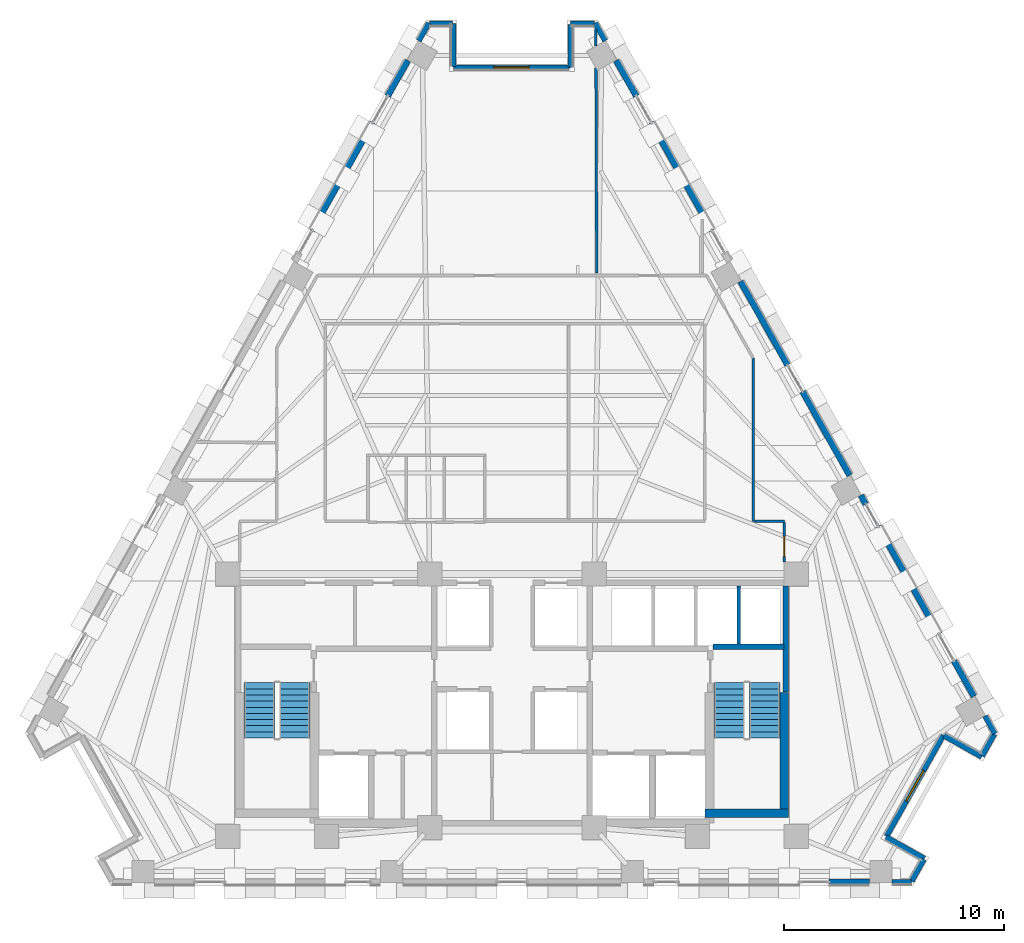
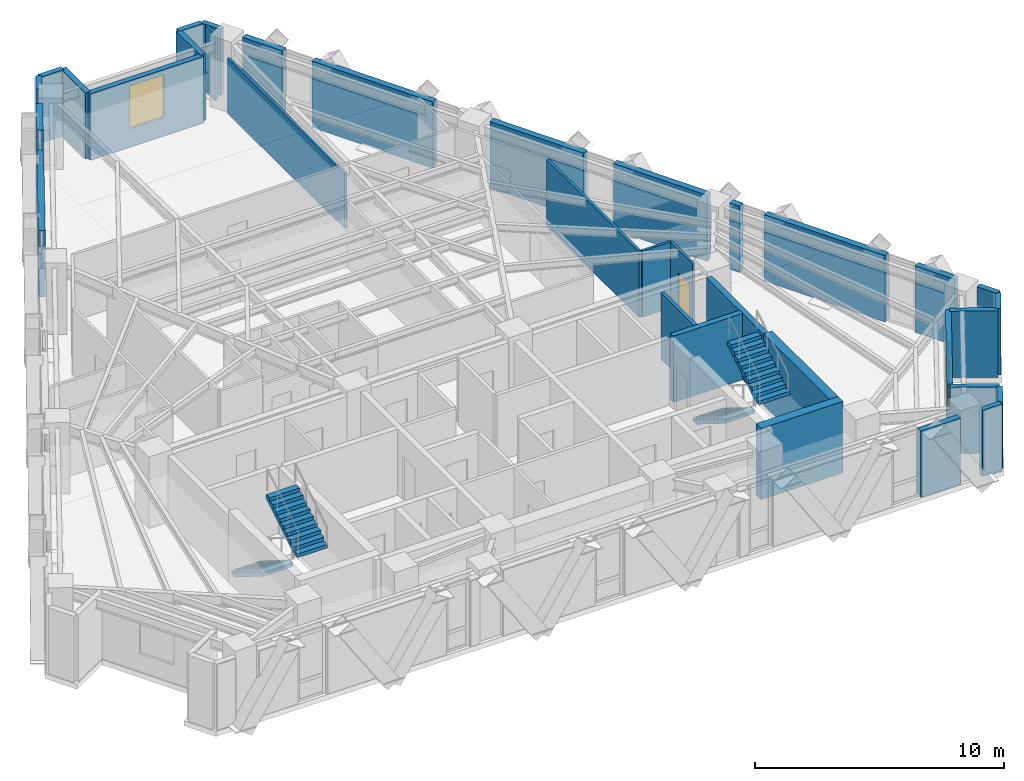
# One storey, part 9 of 13: 34 walls, 4 stair flights, 2 windows, 1 door, 3 openings, 2 elements without a shape of their own.
"""IFC4 building model written with IfcOpenShell, lengths in metres."""

from ifc_helpers import new_model, si_unit, direction, frame, frame_2d, origin, place, context, subcontext, project, spatial, polyline, rectangle, outline, extrude, material, layer, layer_set, type_object, element, fill, aggregate, save


model = new_model("IFC4")

# Units and contexts
model_context = context("Model", 3, precision=1e-05, world=origin(), true_north=direction((0.0, 1.0)))
body_context = subcontext(model_context, "Body", "Model", "MODEL_VIEW")
ifc_project = project(units=[si_unit("LENGTHUNIT", "METRE"), si_unit("AREAUNIT", "SQUARE_METRE"), si_unit("VOLUMEUNIT", "CUBIC_METRE"), si_unit("PLANEANGLEUNIT", "RADIAN"), si_unit("MASSUNIT", "GRAM", prefix="KILO")], contexts=[model_context])

# Site, building, storey
site_placement = place(None, origin())
site = spatial("IfcSite", under=ifc_project, at=site_placement, CompositionType="ELEMENT")
building_placement = place(site_placement, origin())
building = spatial("IfcBuilding", under=site, at=building_placement, Name="Quenlor Broadcast Tower", CompositionType="ELEMENT")
storey_placement = place(building_placement, frame((0.0, 0.0, 161.5)))
storey = spatial("IfcBuildingStorey", under=building, at=storey_placement, Name="L44", CompositionType="ELEMENT", Elevation=161.5)

# Walls
ifc_material_1 = material(Name="Concrete C50/60", Category="concrete")
ifc_layer_1 = layer(ifc_material_1, 0.39990234375)
ifc_layer_set_1 = layer_set([ifc_layer_1], Name="Core Concrete C50/60 Shear Wall 400")
wall_type_1 = type_object("IfcWallType", Name="Core Concrete C50/60 Shear Wall 400", PredefinedType="SHEAR", material=ifc_layer_set_1)
wall_1_placement = place(storey_placement, frame((8.800048828125, -15.699951171875, 0.0), z_axis=(0.0, 0.0, 1.0), x_axis=(1.0, 0.0, 0.0)))
element("IfcWall", 1, at=wall_1_placement, inside=storey, type_object=wall_type_1, Name="L44 Core Shear Wall WS-E2", PredefinedType="SHEAR", context=body_context, shape_type="SweptSolid", body=[
    extrude(rectangle(XDim=3.800048828125, YDim=0.39990234375, at=frame_2d((1.89990234375, 0.0))), origin(), (0.0, 0.0, 1.0), 3.5),
])
wall_2_placement = place(storey_placement, frame((12.39990234375, -15.699951171875, 0.0), z_axis=(0.0, 0.0, 1.0), x_axis=(0.0, 1.0, 0.0)))
element("IfcWall", 2, at=wall_2_placement, inside=storey, type_object=wall_type_1, Name="L44 Core Shear Wall WF-E", PredefinedType="SHEAR", context=body_context, shape_type="SweptSolid", body=[
    extrude(rectangle(XDim=5.5, YDim=0.39990234375, at=frame_2d((2.75, 0.0))), origin(), (0.0, 0.0, 1.0), 3.5),
])
ifc_material_2 = material(Name="Concrete C40/50", Category="concrete")
ifc_layer_2 = layer(ifc_material_2, 0.25)
ifc_layer_set_2 = layer_set([ifc_layer_2], Name="Fire Rated Concrete C40/50 Core Wall 250")
wall_type_2 = type_object("IfcWallType", Name="Fire Rated Concrete C40/50 Core Wall 250", PredefinedType="PARTITIONING", material=ifc_layer_set_2)
wall_3_placement = place(storey_placement, frame((9.159912109375, -8.1201171875, 0.0), z_axis=(0.0, 0.0, 1.0), x_axis=(1.0, 0.0, 0.0)))
element("IfcWall", 3, at=wall_3_placement, inside=storey, type_object=wall_type_2, Name="L44 Interior Wall CW-ST2-N", PredefinedType="PARTITIONING", context=body_context, shape_type="SweptSolid", body=[
    extrude(rectangle(XDim=3.219970703125, YDim=0.25, at=frame_2d((1.60986328125, 0.0))), origin(), (0.0, 0.0, 1.0), 3.25),
])
wall_4_placement = place(storey_placement, frame((12.47998046875, -10.179931640625, 0.0), z_axis=(0.0, 0.0, 1.0), x_axis=(0.0, 1.0, 0.0)))
element("IfcWall", 4, at=wall_4_placement, inside=storey, type_object=wall_type_2, Name="L44 Interior Wall CW-ST2-E2", PredefinedType="PARTITIONING", context=body_context, shape_type="SweptSolid", body=[
    extrude(rectangle(XDim=4.827880859375, YDim=0.25, at=frame_2d((2.4140625, 0.0))), origin(), (0.0, 0.0, 1.0), 3.25),
])
ifc_material_3 = material(Name="Gypsum Fireboard Partition", Category="other")
ifc_layer_3 = layer(ifc_material_3, 0.159912109375)
ifc_layer_set_3 = layer_set([ifc_layer_3], Name="Fire Rated Shaft and Corridor Partition 160")
wall_type_3 = type_object("IfcWallType", Name="Fire Rated Shaft and Corridor Partition 160", PredefinedType="PARTITIONING", material=ifc_layer_set_3)
wall_5_placement = place(storey_placement, frame((10.324951171875, -7.992919921875, 0.0), z_axis=(0.0, 0.0, 1.0), x_axis=(0.0, 1.0, 0.0)))
element("IfcWall", 5, at=wall_5_placement, inside=storey, type_object=wall_type_3, Name="L44 Interior Wall CW-PLH-D3", PredefinedType="PARTITIONING", context=body_context, shape_type="SweptSolid", body=[
    extrude(rectangle(XDim=2.65283203125, YDim=0.159912109375, at=frame_2d((1.326416015625, 0.0))), origin(), (0.0, 0.0, 1.0), 3.25),
])
ifc_material_4 = material(Name="Gypsum Plasterboard Partition", Category="other")
ifc_layer_4 = layer(ifc_material_4, 0.1201171875)
ifc_layer_set_4 = layer_set([ifc_layer_4], Name="Standard Office Partition 120")
wall_type_4 = type_object("IfcWallType", Name="Standard Office Partition 120", PredefinedType="PARTITIONING", material=ifc_layer_set_4)
wall_6_placement = place(storey_placement, frame((10.985107421875, 5.03369140625, 0.0), z_axis=(0.0, 0.0, 1.0), x_axis=(0.0, -1.0, 0.0)))
element("IfcWall", 6, at=wall_6_placement, inside=storey, type_object=wall_type_4, Name="L44 Interior Wall PW-CR-06", PredefinedType="PARTITIONING", context=body_context, shape_type="SweptSolid", body=[
    extrude(rectangle(XDim=7.43359375, YDim=0.1201171875, at=frame_2d((3.716796875, 0.0))), origin(), (0.0, 0.0, 1.0), 3.25),
])
wall_7_placement = place(storey_placement, frame((11.047119140625, -2.39990234375, 0.0), z_axis=(0.0, 0.0, 1.0), x_axis=(1.0, 0.0, 0.0)))
element("IfcWall", 7, at=wall_7_placement, inside=storey, type_object=wall_type_4, Name="L44 Interior Wall PW-CR-07", PredefinedType="PARTITIONING", context=body_context, shape_type="SweptSolid", body=[
    extrude(rectangle(XDim=1.36279296875, YDim=0.1201171875, at=frame_2d((0.681396484375, 0.0))), origin(), (0.0, 0.0, 1.0), 3.25),
])

# Wall, opening, door
wall_8_placement = place(storey_placement, frame((12.409912109375, -2.4619140625, 0.0), z_axis=(0.0, 0.0, 1.0), x_axis=(0.0, -1.0, 0.0)))
wall_8 = element("IfcWall", 8, at=wall_8_placement, inside=storey, type_object=wall_type_4, Name="L44 Interior Wall PW-CR-08", PredefinedType="PARTITIONING", context=body_context, shape_type="SweptSolid", body=[
    extrude(rectangle(XDim=1.7861328125, YDim=0.1201171875, at=frame_2d((0.89306640625, 0.0))), origin(), (0.0, 0.0, 1.0), 3.25),
])
opening_1_placement = place(wall_8_placement, frame((0.623046875, 0.0, 0.0)))
opening_1 = element("IfcOpeningElement", 9, at=opening_1_placement, cuts=wall_8, Name="Opening ID-1", PredefinedType="OPENING", context=body_context, shape_type="SweptSolid", body=[
    extrude(rectangle(XDim=0.919921875, YDim=2.1201171875, at=frame_2d((0.4599609375, 1.06005859375))), frame((0.0, 0.070068359375, 0.0), z_axis=(0.0, -1.0, 0.0), x_axis=(1.0, 0.0, 0.0)), (0.0, 0.0, 1.0), 0.14013671875),
])
ifc_material_5 = material(Name="Solid Core Timber Oak", Category="wood")
door_type = type_object("IfcDoorType", Name="Single Leaf Timber Office Door 920x2120", OperationType="NOTDEFINED", PredefinedType="DOOR", material=ifc_material_5)
door_placement = place(opening_1_placement, origin())
door = element("IfcDoor", 10, at=door_placement, inside=storey, type_object=door_type, Name="L44 Door DR-RM08", OperationType="SINGLE_SWING_RIGHT", OverallHeight=2.1201171875, OverallWidth=0.919921875, PredefinedType="DOOR", context=body_context, shape_type="SweptSolid", body=[
    extrude(rectangle(XDim=0.919921875, YDim=2.1201171875, at=frame_2d((0.4599609375, 1.06005859375))), frame((0.0, 0.02490234375, 0.0), z_axis=(0.0, -1.0, 0.0), x_axis=(1.0, 0.0, 0.0)), (0.0, 0.0, 1.0), 0.050048828125),
])
fill(opening_1, door)

# Walls
wall_9_placement = place(storey_placement, frame((3.8203125, 20.002685546875, 0.0), z_axis=(0.0, 0.0, 1.0), x_axis=(0.00358654361, -0.999993568332, 0.0)))
element("IfcWall", 11, at=wall_9_placement, inside=storey, type_object=wall_type_4, Name="L44 Interior Wall PW-DV-01", PredefinedType="PARTITIONING", context=body_context, shape_type="SweptSolid", body=[
    extrude(rectangle(XDim=0.748779296875, YDim=0.1201171875, at=frame_2d((0.37451171875, 0.0))), origin(), (0.0, 0.0, 1.0), 3.25),
])
wall_10_placement = place(storey_placement, frame((3.826416015625, 18.247802734375, 0.0), z_axis=(0.0, 0.0, 1.0), x_axis=(0.003529574333, -0.999993771033, 0.0)))
element("IfcWall", 12, at=wall_10_placement, inside=storey, type_object=wall_type_4, Name="L44 Interior Wall PW-DV-01S2", PredefinedType="PARTITIONING", context=body_context, shape_type="SweptSolid", body=[
    extrude(rectangle(XDim=9.337890625, YDim=0.1201171875, at=frame_2d((4.6689453125, 0.0))), origin(), (0.0, 0.0, 1.0), 2.717041015625),
])
ifc_material_6 = material(Name="Precast concrete C40/50", Category="concrete")
ifc_layer_5 = layer(ifc_material_6, 0.239990234375)
ifc_layer_set_5 = layer_set([ifc_layer_5], Name="Terrace Threshold Precast Concrete C40/50 Wall 240")
wall_type_5 = type_object("IfcWallType", Name="Terrace Threshold Precast Concrete C40/50 Wall 240", PredefinedType="STANDARD", material=ifc_layer_set_5)
wall_11_placement = place(storey_placement, frame((18.2099609375, -18.824951171875, 0.0), z_axis=(0.0, 0.0, 1.0), x_axis=(-1.0, 0.0, 0.0)))
element("IfcWall", 13, at=wall_11_placement, inside=storey, type_object=wall_type_5, Name="L44 Exterior Wall L44-SHD-SS0", PredefinedType="STANDARD", context=body_context, shape_type="SweptSolid", body=[
    extrude(rectangle(XDim=0.896484375, YDim=0.239990234375, at=frame_2d((0.4482421875, 0.0))), origin(), (0.0, 0.0, 1.0), 3.25),
])
wall_12_placement = place(storey_placement, frame((3.7919921875, 20.302001953125, 0.0), z_axis=(0.0, 0.0, 1.0), x_axis=(0.490048346303, -0.871695255399, 0.0)))
element("IfcWall", 14, at=wall_12_placement, inside=storey, type_object=wall_type_5, Name="L44 Exterior Wall L44-SHD-NES0", PredefinedType="STANDARD", context=body_context, shape_type="SweptSolid", body=[
    extrude(rectangle(XDim=0.925537109375, YDim=0.239990234375, at=frame_2d((0.462890625, 0.0))), origin(), (0.0, 0.0, 1.0), 3.25),
])
wall_13_placement = place(storey_placement, frame((21.54931640625, -11.2666015625, 0.0), z_axis=(0.0, 0.0, 1.0), x_axis=(0.490248718924, -0.871582579905, 0.0)))
element("IfcWall", 15, at=wall_13_placement, inside=storey, type_object=wall_type_5, Name="L44 Exterior Wall L44-SHD-NES1", PredefinedType="STANDARD", context=body_context, shape_type="SweptSolid", body=[
    extrude(rectangle(XDim=0.92578125, YDim=0.239990234375, at=frame_2d((0.462890625, 0.0))), origin(), (0.0, 0.0, 1.0), 3.25),
])
wall_14_placement = place(storey_placement, frame((-4.24560546875, 19.4951171875, 0.0), z_axis=(0.0, 0.0, 1.0), x_axis=(0.490048346303, 0.871695255399, 0.0)))
element("IfcWall", 16, at=wall_14_placement, inside=storey, type_object=wall_type_5, Name="L44 Exterior Wall L44-SHD-NWS1", PredefinedType="STANDARD", context=body_context, shape_type="SweptSolid", body=[
    extrude(rectangle(XDim=0.925537109375, YDim=0.239990234375, at=frame_2d((0.462890625, 0.0))), origin(), (0.0, 0.0, 1.0), 3.25),
])
wall_15_placement = place(storey_placement, frame((18.783935546875, -17.760009765625, 0.0), z_axis=(0.0, 0.0, 1.0), x_axis=(-0.871536415941, 0.49033078191, 0.0)))
element("IfcWall", 17, at=wall_15_placement, inside=storey, type_object=wall_type_5, Name="L44 Exterior Wall L44-CNR-01", PredefinedType="STANDARD", context=body_context, shape_type="SweptSolid", body=[
    extrude(rectangle(XDim=2.0, YDim=0.239990234375, at=frame_2d((1.0, 0.0))), origin(), (0.0, 0.0, 1.0), 3.25),
])

# Wall, opening, window
wall_16_placement = place(storey_placement, frame((17.060302734375, -16.744384765625, 0.0), z_axis=(0.0, 0.0, 1.0), x_axis=(0.490276606961, 0.871566892824, 0.0)))
wall_16 = element("IfcWall", 18, at=wall_16_placement, inside=storey, type_object=wall_type_5, Name="L44 Exterior Wall L44-CNR-02", PredefinedType="STANDARD", context=body_context, shape_type="SweptSolid", body=[
    extrude(rectangle(XDim=5.280029296875, YDim=0.239990234375, at=frame_2d((2.64013671875, 0.0))), origin(), (0.0, 0.0, 1.0), 3.25),
])
opening_2_placement = place(wall_16_placement, frame((1.840087890625, 0.0, 0.89990234375)))
opening_2 = element("IfcOpeningElement", 19, at=opening_2_placement, cuts=wall_16, Name="Opening WN-2", PredefinedType="OPENING", context=body_context, shape_type="SweptSolid", body=[
    extrude(rectangle(XDim=1.60009765625, YDim=2.10009765625, at=frame_2d((0.800048828125, 1.050048828125))), frame((0.0, 0.1298828125, 0.0), z_axis=(0.0, -1.0, 0.0), x_axis=(1.0, 0.0, 0.0)), (0.0, 0.0, 1.0), 0.260009765625),
])
ifc_material_7 = material(Name="Thermally Broken Aluminium and Low-E Glass", Category="aluminium")
window_type = type_object("IfcWindowType", Name="Tower Studio Punched Window 1600x2100", PartitioningType="SINGLE_PANEL", PredefinedType="WINDOW", material=ifc_material_7)
window_1_placement = place(opening_2_placement, origin())
window_1 = element("IfcWindow", 20, at=window_1_placement, inside=storey, type_object=window_type, Name="L44 Corner Chamfer Window 2", OverallHeight=2.10009765625, OverallWidth=1.60009765625, PartitioningType="SINGLE_PANEL", PredefinedType="WINDOW", context=body_context, shape_type="SweptSolid", body=[
    extrude(rectangle(XDim=1.60009765625, YDim=2.10009765625, at=frame_2d((0.800048828125, 1.050048828125))), frame((0.0, 0.030029296875, 0.0), z_axis=(0.0, -1.0, 0.0), x_axis=(1.0, 0.0, 0.0)), (0.0, 0.0, 1.0), 0.06005859375),
])
fill(opening_2, window_1)

# Walls
wall_17_placement = place(storey_placement, frame((19.683837890625, -12.162109375, 0.0), z_axis=(0.0, 0.0, 1.0), x_axis=(0.871512328312, -0.490373593906, 0.0)))
element("IfcWall", 21, at=wall_17_placement, inside=storey, type_object=wall_type_5, Name="L44 Exterior Wall L44-CNR-03", PredefinedType="STANDARD", context=body_context, shape_type="SweptSolid", body=[
    extrude(rectangle(XDim=1.960205078125, YDim=0.239990234375, at=frame_2d((0.97998046875, 0.0))), origin(), (0.0, 0.0, 1.0), 3.25),
])
wall_18_placement = place(storey_placement, frame((21.411865234375, -13.08837890625, 0.0), z_axis=(0.0, 0.0, 1.0), x_axis=(0.4900989379, 0.871666811958, 0.0)))
element("IfcWall", 22, at=wall_18_placement, inside=storey, type_object=wall_type_5, Name="L44 Exterior Wall L44-CNR-04", PredefinedType="STANDARD", context=body_context, shape_type="SweptSolid", body=[
    extrude(rectangle(XDim=1.142822265625, YDim=0.239990234375, at=frame_2d((0.5712890625, 0.0))), origin(), (0.0, 0.0, 1.0), 3.25),
])
wall_19_placement = place(storey_placement, frame((3.761474609375, 20.280029296875, 0.0), z_axis=(0.0, 0.0, 1.0), x_axis=(-1.0, 0.0, 0.0)))
element("IfcWall", 23, at=wall_19_placement, inside=storey, type_object=wall_type_5, Name="L44 Exterior Wall L44-CNR-06", PredefinedType="STANDARD", context=body_context, shape_type="SweptSolid", body=[
    extrude(rectangle(XDim=1.1015625, YDim=0.239990234375, at=frame_2d((0.55078125, 0.0))), origin(), (0.0, 0.0, 1.0), 3.25),
])
wall_20_placement = place(storey_placement, frame((2.659912109375, 20.239990234375, 0.0), z_axis=(0.0, 0.0, 1.0), x_axis=(0.0, -1.0, 0.0)))
element("IfcWall", 24, at=wall_20_placement, inside=storey, type_object=wall_type_5, Name="L44 Exterior Wall L44-CNR-07", PredefinedType="STANDARD", context=body_context, shape_type="SweptSolid", body=[
    extrude(rectangle(XDim=1.9599609375, YDim=0.239990234375, at=frame_2d((0.97998046875, 0.0))), origin(), (0.0, 0.0, 1.0), 3.25),
])

# Wall, opening, window
wall_21_placement = place(storey_placement, frame((2.6201171875, 18.280029296875, 0.0), z_axis=(0.0, 0.0, 1.0), x_axis=(-1.0, 0.0, 0.0)))
wall_21 = element("IfcWall", 25, at=wall_21_placement, inside=storey, type_object=wall_type_5, Name="L44 Exterior Wall L44-CNR-08", PredefinedType="STANDARD", context=body_context, shape_type="SweptSolid", body=[
    extrude(rectangle(XDim=5.280029296875, YDim=0.239990234375, at=frame_2d((2.64013671875, 0.0))), origin(), (0.0, 0.0, 1.0), 3.25),
])
opening_3_placement = place(wall_21_placement, frame((1.840087890625, 0.0, 0.89990234375)))
opening_3 = element("IfcOpeningElement", 26, at=opening_3_placement, cuts=wall_21, Name="Opening WN-2", PredefinedType="OPENING", context=body_context, shape_type="SweptSolid", body=[
    extrude(rectangle(XDim=1.60009765625, YDim=2.10009765625, at=frame_2d((0.800048828125, 1.050048828125))), frame((0.0, 0.1298828125, 0.0), z_axis=(0.0, -1.0, 0.0), x_axis=(1.0, 0.0, 0.0)), (0.0, 0.0, 1.0), 0.260009765625),
])
window_2_placement = place(opening_3_placement, origin())
window_2 = element("IfcWindow", 27, at=window_2_placement, inside=storey, type_object=window_type, Name="L44 Corner Chamfer Window 8", OverallHeight=2.10009765625, OverallWidth=1.60009765625, PartitioningType="SINGLE_PANEL", PredefinedType="WINDOW", context=body_context, shape_type="SweptSolid", body=[
    extrude(rectangle(XDim=1.60009765625, YDim=2.10009765625, at=frame_2d((0.800048828125, 1.050048828125))), frame((0.0, 0.030029296875, 0.0), z_axis=(0.0, -1.0, 0.0), x_axis=(1.0, 0.0, 0.0)), (0.0, 0.0, 1.0), 0.06005859375),
])
fill(opening_3, window_2)

# Walls
wall_22_placement = place(storey_placement, frame((-2.659912109375, 18.320068359375, 0.0), z_axis=(0.0, 0.0, 1.0), x_axis=(0.0, 1.0, 0.0)))
element("IfcWall", 28, at=wall_22_placement, inside=storey, type_object=wall_type_5, Name="L44 Exterior Wall L44-CNR-09", PredefinedType="STANDARD", context=body_context, shape_type="SweptSolid", body=[
    extrude(rectangle(XDim=1.9599609375, YDim=0.239990234375, at=frame_2d((0.97998046875, 0.0))), origin(), (0.0, 0.0, 1.0), 3.25),
])
wall_23_placement = place(storey_placement, frame((-2.699951171875, 20.280029296875, 0.0), z_axis=(0.0, 0.0, 1.0), x_axis=(-1.0, 0.0, 0.0)))
element("IfcWall", 29, at=wall_23_placement, inside=storey, type_object=wall_type_5, Name="L44 Exterior Wall L44-CNR-10", PredefinedType="STANDARD", context=body_context, shape_type="SweptSolid", body=[
    extrude(rectangle(XDim=1.0615234375, YDim=0.239990234375, at=frame_2d((0.53076171875, 0.0))), origin(), (0.0, 0.0, 1.0), 3.25),
])
wall_24_placement = place(storey_placement, frame((18.205810546875, -18.78759765625, 0.0), z_axis=(0.0, 0.0, 1.0), x_axis=(0.490403700594, 0.871495387506, 0.0)))
element("IfcWall", 30, at=wall_24_placement, inside=storey, type_object=wall_type_5, Name="L44 Exterior Wall L44-CNR-18", PredefinedType="STANDARD", context=body_context, shape_type="SweptSolid", body=[
    extrude(rectangle(XDim=1.13916015625, YDim=0.239990234375, at=frame_2d((0.569580078125, 0.0))), origin(), (0.0, 0.0, 1.0), 3.25),
])
ifc_material_8 = material(Name="Precast concrete C40/50", Category="concrete")
ifc_layer_6 = layer(ifc_material_8, 0.280029296875)
ifc_layer_set_6 = layer_set([ifc_layer_6], Name="Terracotta Precast Concrete C40/50 Facade Wall 280")
wall_type_6 = type_object("IfcWallType", Name="Terracotta Precast Concrete C40/50 Facade Wall 280", PredefinedType="STANDARD", material=ifc_layer_set_6)
wall_25_placement = place(storey_placement, frame((16.283447265625, -18.824951171875, 0.0), z_axis=(0.0, 0.0, 1.0), x_axis=(-1.0, 0.0, 0.0)))
element("IfcWall", 31, at=wall_25_placement, inside=storey, type_object=wall_type_6, Name="L44 Exterior Wall L44-SA-SP1", PredefinedType="STANDARD", context=body_context, shape_type="SweptSolid", body=[
    extrude(rectangle(XDim=1.83837890625, YDim=0.280029296875, at=frame_2d((0.919189453125, 0.0))), origin(), (0.0, 0.0, 1.0), 3.25),
])
wall_26_placement = place(storey_placement, frame((4.750732421875, 18.597412109375, 0.0), z_axis=(0.0, 0.0, 1.0), x_axis=(0.490248749158, -0.871582562899, 0.0)))
element("IfcWall", 32, at=wall_26_placement, inside=storey, type_object=wall_type_6, Name="L44 Exterior Wall L44-NEA-SP1", PredefinedType="STANDARD", context=body_context, shape_type="SweptSolid", body=[
    extrude(rectangle(XDim=1.85595703125, YDim=0.280029296875, at=frame_2d((0.927978515625, 0.0))), origin(), (0.0, 0.0, 1.0), 3.25),
])
wall_27_placement = place(storey_placement, frame((6.342041015625, 15.768310546875, 0.0), z_axis=(0.0, 0.0, 1.0), x_axis=(0.490289995219, -0.871559361483, 0.0)))
element("IfcWall", 33, at=wall_27_placement, inside=storey, type_object=wall_type_6, Name="L44 Exterior Wall L44-NEA-SP2", PredefinedType="STANDARD", context=body_context, shape_type="SweptSolid", body=[
    extrude(rectangle(XDim=5.643310546875, YDim=0.280029296875, at=frame_2d((2.82177734375, 0.0))), origin(), (0.0, 0.0, 1.0), 3.25),
])
wall_28_placement = place(storey_placement, frame((15.8955078125, -1.21533203125, 0.0), z_axis=(0.0, 0.0, 1.0), x_axis=(0.490009165718, -0.871717280724, 0.0)))
element("IfcWall", 34, at=wall_28_placement, inside=storey, type_object=wall_type_6, Name="L44 Exterior Wall L44-NEC-SP1", PredefinedType="STANDARD", context=body_context, shape_type="SweptSolid", body=[
    extrude(rectangle(XDim=0.4599609375, YDim=0.280029296875, at=frame_2d((0.22998046875, 0.0))), origin(), (0.0, 0.0, 1.0), 3.25),
])
wall_29_placement = place(storey_placement, frame((16.686279296875, -2.621337890625, 0.0), z_axis=(0.0, 0.0, 1.0), x_axis=(0.490238645956, -0.871588245682, 0.0)))
element("IfcWall", 35, at=wall_29_placement, inside=storey, type_object=wall_type_6, Name="L44 Exterior Wall L44-NEC-SP2", PredefinedType="STANDARD", context=body_context, shape_type="SweptSolid", body=[
    extrude(rectangle(XDim=5.643310546875, YDim=0.280029296875, at=frame_2d((2.82177734375, 0.0))), origin(), (0.0, 0.0, 1.0), 3.25),
])
wall_30_placement = place(storey_placement, frame((20.13427734375, -8.751220703125, 0.0), z_axis=(0.0, 0.0, 1.0), x_axis=(0.490248749158, -0.871582562899, 0.0)))
element("IfcWall", 36, at=wall_30_placement, inside=storey, type_object=wall_type_6, Name="L44 Exterior Wall L44-NEC-SP3", PredefinedType="STANDARD", context=body_context, shape_type="SweptSolid", body=[
    extrude(rectangle(XDim=1.85595703125, YDim=0.280029296875, at=frame_2d((0.927978515625, 0.0))), origin(), (0.0, 0.0, 1.0), 3.25),
])
wall_31_placement = place(storey_placement, frame((10.411865234375, 8.532958984375, 0.0), z_axis=(0.0, 0.0, 1.0), x_axis=(0.490274486291, -0.871568085747, 0.0)))
element("IfcWall", 37, at=wall_31_placement, inside=storey, type_object=wall_type_6, Name="L44 Exterior Wall L44-NE-SP1", PredefinedType="STANDARD", context=body_context, shape_type="SweptSolid", body=[
    extrude(rectangle(XDim=4.375244140625, YDim=0.280029296875, at=frame_2d((2.1875, 0.0))), origin(), (0.0, 0.0, 1.0), 3.25),
])
wall_32_placement = place(storey_placement, frame((13.23828125, 3.508544921875, 0.0), z_axis=(0.0, 0.0, 1.0), x_axis=(0.490232095789, -0.871591929895, 0.0)))
element("IfcWall", 38, at=wall_32_placement, inside=storey, type_object=wall_type_6, Name="L44 Exterior Wall L44-NE-SP2", PredefinedType="STANDARD", context=body_context, shape_type="SweptSolid", body=[
    extrude(rectangle(XDim=4.375, YDim=0.280029296875, at=frame_2d((2.1875, 0.0))), origin(), (0.0, 0.0, 1.0), 3.25),
])
wall_33_placement = place(storey_placement, frame((-9.10888671875, 10.849853515625, 0.0), z_axis=(0.0, 0.0, 1.0), x_axis=(0.490289995219, 0.871559361483, 0.0)))
element("IfcWall", 39, at=wall_33_placement, inside=storey, type_object=wall_type_6, Name="L44 Exterior Wall L44-NWC-SP2", PredefinedType="STANDARD", context=body_context, shape_type="SweptSolid", body=[
    extrude(rectangle(XDim=5.643310546875, YDim=0.280029296875, at=frame_2d((2.82177734375, 0.0))), origin(), (0.0, 0.0, 1.0), 3.25),
])
wall_34_placement = place(storey_placement, frame((-5.66064453125, 16.979736328125, 0.0), z_axis=(0.0, 0.0, 1.0), x_axis=(0.490248749158, 0.871582562899, 0.0)))
element("IfcWall", 40, at=wall_34_placement, inside=storey, type_object=wall_type_6, Name="L44 Exterior Wall L44-NWC-SP3", PredefinedType="STANDARD", context=body_context, shape_type="SweptSolid", body=[
    extrude(rectangle(XDim=1.85595703125, YDim=0.280029296875, at=frame_2d((0.927978515625, 0.0))), origin(), (0.0, 0.0, 1.0), 3.25),
])

# Stair, stair flights
ifc_material_9 = material(Name="Precast concrete C40/50", Category="concrete")
stair_type = type_object("IfcStairType", Name="Precast Concrete C40/50 Dogleg Stair H350", PredefinedType="HALF_TURN_STAIR", material=ifc_material_9)
stair_1_placement = place(storey_placement, origin())
stair_1 = element("IfcStair", 41, at=stair_1_placement, inside=storey, type_object=stair_type, Name="L44 West Core Fire-Isolated Exit Stair ST-1", PredefinedType="HALF_TURN_STAIR")
ifc_material_10 = material(Name="Precast concrete C40/50", Category="concrete")
ifc_layer_7 = layer(ifc_material_10, 0.159912109375)
ifc_layer_set_7 = layer_set([ifc_layer_7], Name="Precast Concrete C40/50 Stair Flight H350")
stair_flight_type = type_object("IfcStairFlightType", Name="Precast Concrete C40/50 Stair Flight H350", PredefinedType="STRAIGHT", material=ifc_layer_set_7)
stair_flight_1_placement = place(storey_placement, frame((-11.5, -9.75, 0.0), z_axis=(0.0, 0.0, 1.0), x_axis=(0.0, -1.0, 0.0)))
stair_flight_1 = element("IfcStairFlight", 42, at=stair_flight_1_placement, type_object=stair_flight_type, Name="ST-1 flight 1", NumberOfRisers=10, NumberOfTreads=9, PredefinedType="STRAIGHT", RiserHeight=0.175, TreadLength=0.28, context=body_context, shape_type="SweptSolid", body=[
    extrude(outline(polyline([(0.0, 0.0), (0.0, 0.175048828125), (0.280029296875, 0.175048828125), (0.280029296875, 0.35009765625), (0.56005859375, 0.35009765625), (0.56005859375, 0.52490234375), (0.840087890625, 0.52490234375), (0.840087890625, 0.699951171875), (1.1201171875, 0.699951171875), (1.1201171875, 0.875), (1.39990234375, 0.875), (1.39990234375, 1.050048828125), (1.679931640625, 1.050048828125), (1.679931640625, 1.22509765625), (1.9599609375, 1.22509765625), (1.9599609375, 1.39990234375), (2.239990234375, 1.39990234375), (2.239990234375, 1.574951171875), (2.52001953125, 1.574951171875), (2.52001953125, 1.75), (2.52001953125, 1.398193359375), (0.28271484375, 0.0), (0.0, 0.0)])), frame((0.0, 0.699951171875, 0.0), z_axis=(0.0, -1.0, 0.0), x_axis=(1.0, 0.0, 0.0)), (0.0, 0.0, 1.0), 1.39990234375),
])
stair_flight_2_placement = place(storey_placement, frame((-9.89990234375, -12.27001953125, 1.75), z_axis=(0.0, 0.0, 1.0), x_axis=(0.0, 1.0, 0.0)))
stair_flight_2 = element("IfcStairFlight", 43, at=stair_flight_2_placement, type_object=stair_flight_type, Name="ST-1 flight 2", NumberOfRisers=10, NumberOfTreads=9, PredefinedType="STRAIGHT", RiserHeight=0.175, TreadLength=0.28, context=body_context, shape_type="SweptSolid", body=[
    extrude(outline(polyline([(0.0, 0.0), (0.0, 0.175048828125), (0.280029296875, 0.175048828125), (0.280029296875, 0.35009765625), (0.56005859375, 0.35009765625), (0.56005859375, 0.52490234375), (0.840087890625, 0.52490234375), (0.840087890625, 0.699951171875), (1.1201171875, 0.699951171875), (1.1201171875, 0.875), (1.39990234375, 0.875), (1.39990234375, 1.050048828125), (1.679931640625, 1.050048828125), (1.679931640625, 1.22509765625), (1.9599609375, 1.22509765625), (1.9599609375, 1.39990234375), (2.239990234375, 1.39990234375), (2.239990234375, 1.574951171875), (2.52001953125, 1.574951171875), (2.52001953125, 1.75), (2.52001953125, 1.398193359375), (0.28271484375, 0.0), (0.0, 0.0)])), frame((0.0, 0.699951171875, 0.0), z_axis=(0.0, -1.0, 0.0), x_axis=(1.0, 0.0, 0.0)), (0.0, 0.0, 1.0), 1.39990234375),
])
aggregate(stair_1, [stair_flight_1, stair_flight_2])

stair_2_placement = place(storey_placement, origin())
stair_2 = element("IfcStair", 44, at=stair_2_placement, inside=storey, type_object=stair_type, Name="L44 East Core Fire-Isolated Exit Stair ST-2", PredefinedType="HALF_TURN_STAIR")
stair_flight_3_placement = place(storey_placement, frame((9.89990234375, -9.75, 0.0), z_axis=(0.0, 0.0, 1.0), x_axis=(0.0, -1.0, 0.0)))
stair_flight_3 = element("IfcStairFlight", 45, at=stair_flight_3_placement, type_object=stair_flight_type, Name="ST-2 flight 1", NumberOfRisers=10, NumberOfTreads=9, PredefinedType="STRAIGHT", RiserHeight=0.175, TreadLength=0.28, context=body_context, shape_type="SweptSolid", body=[
    extrude(outline(polyline([(0.0, 0.0), (0.0, 0.175048828125), (0.280029296875, 0.175048828125), (0.280029296875, 0.35009765625), (0.56005859375, 0.35009765625), (0.56005859375, 0.52490234375), (0.840087890625, 0.52490234375), (0.840087890625, 0.699951171875), (1.1201171875, 0.699951171875), (1.1201171875, 0.875), (1.39990234375, 0.875), (1.39990234375, 1.050048828125), (1.679931640625, 1.050048828125), (1.679931640625, 1.22509765625), (1.9599609375, 1.22509765625), (1.9599609375, 1.39990234375), (2.239990234375, 1.39990234375), (2.239990234375, 1.574951171875), (2.52001953125, 1.574951171875), (2.52001953125, 1.75), (2.52001953125, 1.398193359375), (0.28271484375, 0.0), (0.0, 0.0)])), frame((0.0, 0.699951171875, 0.0), z_axis=(0.0, -1.0, 0.0), x_axis=(1.0, 0.0, 0.0)), (0.0, 0.0, 1.0), 1.39990234375),
])
stair_flight_4_placement = place(storey_placement, frame((11.5, -12.27001953125, 1.75), z_axis=(0.0, 0.0, 1.0), x_axis=(0.0, 1.0, 0.0)))
stair_flight_4 = element("IfcStairFlight", 46, at=stair_flight_4_placement, type_object=stair_flight_type, Name="ST-2 flight 2", NumberOfRisers=10, NumberOfTreads=9, PredefinedType="STRAIGHT", RiserHeight=0.175, TreadLength=0.28, context=body_context, shape_type="SweptSolid", body=[
    extrude(outline(polyline([(0.0, 0.0), (0.0, 0.175048828125), (0.280029296875, 0.175048828125), (0.280029296875, 0.35009765625), (0.56005859375, 0.35009765625), (0.56005859375, 0.52490234375), (0.840087890625, 0.52490234375), (0.840087890625, 0.699951171875), (1.1201171875, 0.699951171875), (1.1201171875, 0.875), (1.39990234375, 0.875), (1.39990234375, 1.050048828125), (1.679931640625, 1.050048828125), (1.679931640625, 1.22509765625), (1.9599609375, 1.22509765625), (1.9599609375, 1.39990234375), (2.239990234375, 1.39990234375), (2.239990234375, 1.574951171875), (2.52001953125, 1.574951171875), (2.52001953125, 1.75), (2.52001953125, 1.398193359375), (0.28271484375, 0.0), (0.0, 0.0)])), frame((0.0, 0.699951171875, 0.0), z_axis=(0.0, -1.0, 0.0), x_axis=(1.0, 0.0, 0.0)), (0.0, 0.0, 1.0), 1.39990234375),
])
aggregate(stair_2, [stair_flight_3, stair_flight_4])

save(model, "model.ifc")
